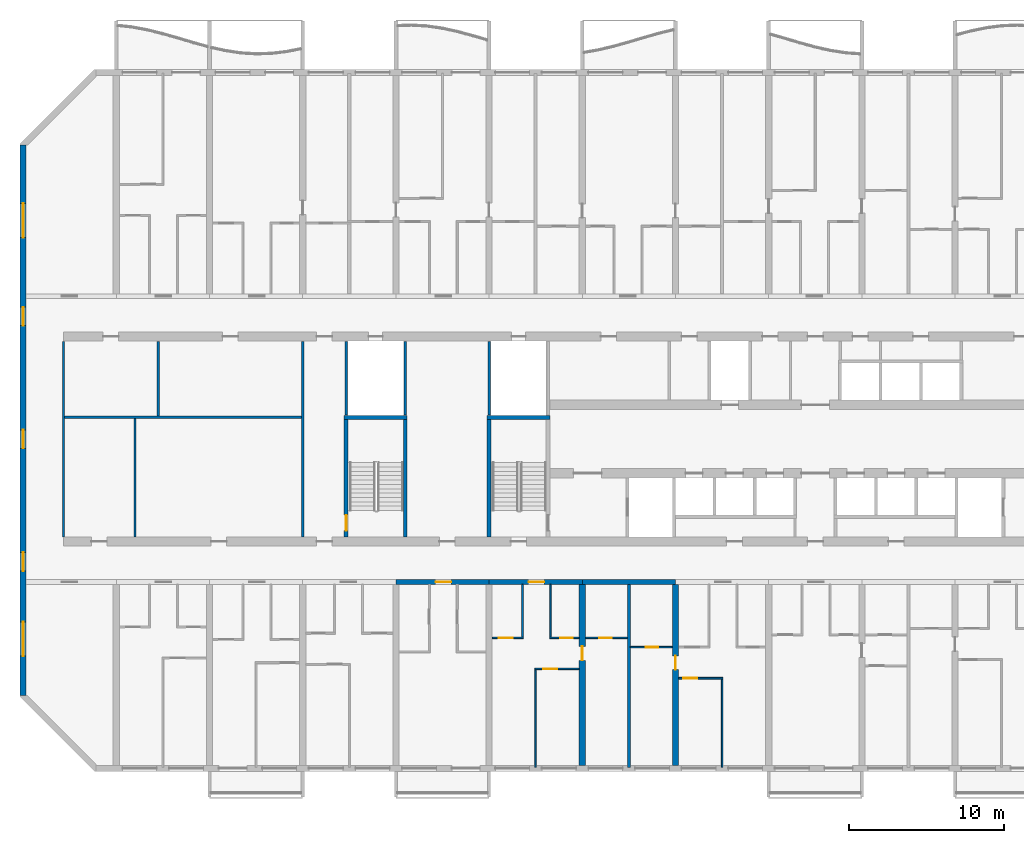
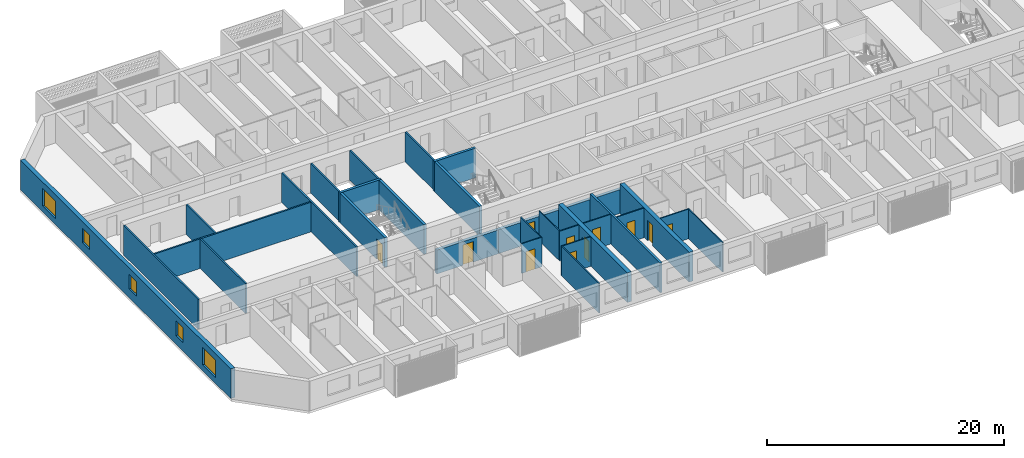
# One storey, part 3 of 40: 30 walls, 11 doors, 5 windows, 16 openings.
"""IFC4 building model written with IfcOpenShell, lengths in metres."""

from ifc_helpers import new_model, si_unit, direction, frame, frame_2d, origin, place, context, subcontext, project, spatial, rectangle, extrude, material, layer, layer_set, type_object, element, fill, save


model = new_model("IFC4")

# Units and contexts
model_context = context("Model", 3, precision=1e-05, world=origin(), true_north=direction((0.0, 1.0)))
body_context = subcontext(model_context, "Body", "Model", "MODEL_VIEW")
ifc_project = project(units=[si_unit("LENGTHUNIT", "METRE"), si_unit("AREAUNIT", "SQUARE_METRE"), si_unit("VOLUMEUNIT", "CUBIC_METRE"), si_unit("PLANEANGLEUNIT", "RADIAN"), si_unit("MASSUNIT", "GRAM", prefix="KILO")], contexts=[model_context])

# Site, building, storey
site_placement = place(None, origin())
site = spatial("IfcSite", under=ifc_project, at=site_placement, CompositionType="ELEMENT")
building_placement = place(site_placement, origin())
building = spatial("IfcBuilding", under=site, at=building_placement, Name="Poui Terraces", CompositionType="ELEMENT")
storey_placement = place(building_placement, frame((0.0, 0.0, 39.89990234375)))
storey = spatial("IfcBuildingStorey", under=building, at=storey_placement, Name="L10", CompositionType="ELEMENT", Elevation=39.89990234375)

# Walls
ifc_material_1 = material(Name="Fire-rated plasterboard wall")
ifc_layer_1 = layer(ifc_material_1, 0.14990234375)
ifc_layer_set_1 = layer_set([ifc_layer_1], Name="Fire-rated plasterboard wall")
wall_type_1 = type_object("IfcWallType", Name="CORRIDOR WALL 150", PredefinedType="PARTITIONING", material=ifc_layer_set_1)
for number, where, z_axis, x_axis, name in (
    (1, (2.60009765625, 14.909912109375, 0.0), (0.0, 0.0, 1.0), (0.0, 1.0, 0.0), "CORRIDOR WALL 150"),
    (2, (18.0, 14.909912109375, 0.0), (0.0, 0.0, 1.0), (0.0, 1.0, 0.0), "CORRIDOR WALL 150"),
):
    element("IfcWall", number, at=place(storey_placement, frame(where, z_axis=z_axis, x_axis=x_axis)), inside=storey, type_object=wall_type_1, Name=name, PredefinedType="PARTITIONING", context=body_context, shape_type="SweptSolid", body=[
        extrude(rectangle(XDim=12.580078125, YDim=0.14990234375, at=frame_2d((6.2900390625, 0.0))), origin(), (0.0, 0.0, 1.0), 3.050048828125),
    ])

# Wall, opening, door
ifc_material_2 = material(Name="Concrete 80 MPa", Category="concrete")
ifc_layer_2 = layer(ifc_material_2, 0.300048828125)
ifc_layer_set_2 = layer_set([ifc_layer_2], Name="Concrete 80 MPa")
wall_type_2 = type_object("IfcWallType", Name="CORRIDOR WALL 300 80MPa", PredefinedType="SHEAR", material=ifc_layer_set_2)
wall_1_placement = place(storey_placement, frame((24.0, 12.0, 0.0), z_axis=(0.0, 0.0, 1.0), x_axis=(1.0, 0.0, 0.0)))
wall_1 = element("IfcWall", 3, at=wall_1_placement, inside=storey, type_object=wall_type_2, Name="CORRIDOR WALL LINE B BAY 5", PredefinedType="SHEAR", context=body_context, shape_type="SweptSolid", body=[
    extrude(rectangle(XDim=6.0, YDim=0.300048828125, at=frame_2d((3.0, 0.0))), origin(), (0.0, 0.0, 1.0), 2.4501953125),
])
opening_1_placement = place(wall_1_placement, frame((2.550048828125, 0.0, 0.0)))
opening_1 = element("IfcOpeningElement", 4, at=opening_1_placement, cuts=wall_1, Name="Opening FD30S", PredefinedType="OPENING", context=body_context, shape_type="SweptSolid", body=[
    extrude(rectangle(XDim=1.0, YDim=2.10009765625, at=frame_2d((0.5, 1.050048828125))), frame((0.0, 0.16015625, 0.0), z_axis=(0.0, -1.0, 0.0), x_axis=(1.0, 0.0, 0.0)), (0.0, 0.0, 1.0), 0.320068359375),
])
ifc_material_3 = material(Name="Steel fire door", Category="steel")
door_type_1 = type_object("IfcDoorType", Name="FLAT ENTRANCE DOOR 1000 X 2100", OperationType="NOTDEFINED", PredefinedType="DOOR", material=ifc_material_3)
door_1_placement = place(opening_1_placement, frame((1.0, 0.0, 0.0), z_axis=(0.0, 0.0, 1.0), x_axis=(-1.0, 0.0, 0.0)))
door_1 = element("IfcDoor", 5, at=door_1_placement, inside=storey, type_object=door_type_1, Name="FLAT ENTRANCE DOOR 104", OperationType="SINGLE_SWING_LEFT", OverallHeight=2.10009765625, OverallWidth=1.0, PredefinedType="DOOR", context=body_context, shape_type="SweptSolid", body=[
    extrude(rectangle(XDim=1.0, YDim=2.10009765625, at=frame_2d((0.5, 1.050048828125))), frame((0.0, 0.02490234375, 0.0), z_axis=(0.0, -1.0, 0.0), x_axis=(1.0, 0.0, 0.0)), (0.0, 0.0, 1.0), 0.050048828125),
])
fill(opening_1, door_1)

wall_2_placement = place(storey_placement, frame((30.0, 12.0, 0.0), z_axis=(0.0, 0.0, 1.0), x_axis=(1.0, 0.0, 0.0)))
wall_2 = element("IfcWall", 6, at=wall_2_placement, inside=storey, type_object=wall_type_2, Name="CORRIDOR WALL LINE B BAY 6", PredefinedType="SHEAR", context=body_context, shape_type="SweptSolid", body=[
    extrude(rectangle(XDim=6.0, YDim=0.300048828125, at=frame_2d((3.0, 0.0))), origin(), (0.0, 0.0, 1.0), 2.4501953125),
])
opening_2_placement = place(wall_2_placement, frame((2.550048828125, 0.0, 0.0)))
opening_2 = element("IfcOpeningElement", 7, at=opening_2_placement, cuts=wall_2, Name="Opening FD30S", PredefinedType="OPENING", context=body_context, shape_type="SweptSolid", body=[
    extrude(rectangle(XDim=1.0, YDim=2.10009765625, at=frame_2d((0.5, 1.050048828125))), frame((0.0, 0.16015625, 0.0), z_axis=(0.0, -1.0, 0.0), x_axis=(1.0, 0.0, 0.0)), (0.0, 0.0, 1.0), 0.320068359375),
])
door_2_placement = place(opening_2_placement, frame((1.0, 0.0, 0.0), z_axis=(0.0, 0.0, 1.0), x_axis=(-1.0, 0.0, 0.0)))
door_2 = element("IfcDoor", 8, at=door_2_placement, inside=storey, type_object=door_type_1, Name="FLAT ENTRANCE DOOR 108", OperationType="SINGLE_SWING_LEFT", OverallHeight=2.10009765625, OverallWidth=1.0, PredefinedType="DOOR", context=body_context, shape_type="SweptSolid", body=[
    extrude(rectangle(XDim=1.0, YDim=2.10009765625, at=frame_2d((0.5, 1.050048828125))), frame((0.0, 0.02490234375, 0.0), z_axis=(0.0, -1.0, 0.0), x_axis=(1.0, 0.0, 0.0)), (0.0, 0.0, 1.0), 0.050048828125),
])
fill(opening_2, door_2)

# Wall
wall_3_placement = place(storey_placement, frame((36.0, 12.0, 0.0), z_axis=(0.0, 0.0, 1.0), x_axis=(1.0, 0.0, 0.0)))
element("IfcWall", 9, at=wall_3_placement, inside=storey, type_object=wall_type_2, Name="CORRIDOR WALL LINE B BAY 7", PredefinedType="SHEAR", context=body_context, shape_type="SweptSolid", body=[
    extrude(rectangle(XDim=6.0, YDim=0.300048828125, at=frame_2d((3.0, 0.0))), origin(), (0.0, 0.0, 1.0), 2.4501953125),
])

# Wall, opening, door
ifc_layer_3 = layer(ifc_material_2, 0.39990234375)
ifc_layer_set_3 = layer_set([ifc_layer_3], Name="Concrete 80 MPa")
wall_type_3 = type_object("IfcWallType", Name="CROSS WALL 400 80MPa", PredefinedType="SHEAR", material=ifc_layer_set_3)
wall_4_placement = place(storey_placement, frame((36.0, 0.199951171875, 0.0), z_axis=(0.0, 0.0, 1.0), x_axis=(0.0, 1.0, 0.0)))
wall_4 = element("IfcWall", 10, at=wall_4_placement, inside=storey, type_object=wall_type_3, Name="CROSS WALL LINE 7 SOUTH", PredefinedType="SHEAR", context=body_context, shape_type="SweptSolid", body=[
    extrude(rectangle(XDim=11.650146484375, YDim=0.39990234375, at=frame_2d((5.8251953125, 0.0))), origin(), (0.0, 0.0, 1.0), 3.050048828125),
])
opening_3_placement = place(wall_4_placement, frame((6.75, 0.0, 0.0)))
opening_3 = element("IfcOpeningElement", 11, at=opening_3_placement, cuts=wall_4, Name="Opening D90", PredefinedType="OPENING", context=body_context, shape_type="SweptSolid", body=[
    extrude(rectangle(XDim=0.89990234375, YDim=2.10009765625, at=frame_2d((0.449951171875, 1.050048828125))), frame((0.0, 0.2099609375, 0.0), z_axis=(0.0, -1.0, 0.0), x_axis=(1.0, 0.0, 0.0)), (0.0, 0.0, 1.0), 0.419921875),
])
ifc_material_4 = material(Name="Solid core timber door", Category="wood")
door_type_2 = type_object("IfcDoorType", Name="INTERNAL DOOR 900 X 2100", OperationType="NOTDEFINED", PredefinedType="DOOR", material=ifc_material_4)
door_3_placement = place(opening_3_placement, frame((0.89990234375, 0.0, 0.0), z_axis=(0.0, 0.0, 1.0), x_axis=(-1.0, 0.0, 0.0)))
door_3 = element("IfcDoor", 12, at=door_3_placement, inside=storey, type_object=door_type_2, Name="INTERNAL DOOR 111", OperationType="SINGLE_SWING_LEFT", OverallHeight=2.10009765625, OverallWidth=0.89990234375, PredefinedType="DOOR", context=body_context, shape_type="SweptSolid", body=[
    extrude(rectangle(XDim=0.89990234375, YDim=2.10009765625, at=frame_2d((0.449951171875, 1.050048828125))), frame((0.0, 0.02490234375, 0.0), z_axis=(0.0, -1.0, 0.0), x_axis=(1.0, 0.0, 0.0)), (0.0, 0.0, 1.0), 0.050048828125),
])
fill(opening_3, door_3)

wall_5_placement = place(storey_placement, frame((42.0, 0.199951171875, 0.0), z_axis=(0.0, 0.0, 1.0), x_axis=(0.0, 1.0, 0.0)))
wall_5 = element("IfcWall", 13, at=wall_5_placement, inside=storey, type_object=wall_type_3, Name="CROSS WALL LINE 8 SOUTH", PredefinedType="SHEAR", context=body_context, shape_type="SweptSolid", body=[
    extrude(rectangle(XDim=11.650146484375, YDim=0.39990234375, at=frame_2d((5.8251953125, 0.0))), origin(), (0.0, 0.0, 1.0), 3.050048828125),
])
opening_4_placement = place(wall_5_placement, frame((6.14990234375, 0.0, 0.0)))
opening_4 = element("IfcOpeningElement", 14, at=opening_4_placement, cuts=wall_5, Name="Opening D90", PredefinedType="OPENING", context=body_context, shape_type="SweptSolid", body=[
    extrude(rectangle(XDim=0.89990234375, YDim=2.10009765625, at=frame_2d((0.449951171875, 1.050048828125))), frame((0.0, 0.2099609375, 0.0), z_axis=(0.0, -1.0, 0.0), x_axis=(1.0, 0.0, 0.0)), (0.0, 0.0, 1.0), 0.419921875),
])
door_4_placement = place(opening_4_placement, origin())
door_4 = element("IfcDoor", 15, at=door_4_placement, inside=storey, type_object=door_type_2, Name="INTERNAL DOOR 113", OperationType="SINGLE_SWING_RIGHT", OverallHeight=2.10009765625, OverallWidth=0.89990234375, PredefinedType="DOOR", context=body_context, shape_type="SweptSolid", body=[
    extrude(rectangle(XDim=0.89990234375, YDim=2.10009765625, at=frame_2d((0.449951171875, 1.050048828125))), frame((0.0, 0.02490234375, 0.0), z_axis=(0.0, -1.0, 0.0), x_axis=(1.0, 0.0, 0.0)), (0.0, 0.0, 1.0), 0.050048828125),
])
fill(opening_4, door_4)

# Wall, openings, windows
ifc_layer_4 = layer(ifc_material_2, 0.39990234375)
ifc_layer_set_4 = layer_set([ifc_layer_4], Name="Concrete 80 MPa")
wall_type_4 = type_object("IfcWallType", Name="END WALL 400 80MPa", PredefinedType="SHEAR", material=ifc_layer_set_4)
wall_6_placement = place(storey_placement, frame((0.0, 4.682861328125, 0.0), z_axis=(0.0, 0.0, 1.0), x_axis=(0.0, 1.0, 0.0)))
wall_6 = element("IfcWall", 16, at=wall_6_placement, inside=storey, type_object=wall_type_4, Name="END WALL WEST", PredefinedType="SHEAR", context=body_context, shape_type="SweptSolid", body=[
    extrude(rectangle(XDim=35.434326171875, YDim=0.39990234375, at=frame_2d((17.71728515625, 0.0))), origin(), (0.0, 0.0, 1.0), 3.050048828125),
])
opening_5_placement = place(wall_6_placement, frame((23.817138671875, 0.0, 0.89990234375)))
opening_5 = element("IfcOpeningElement", 17, at=opening_5_placement, cuts=wall_6, Name="Opening W2", PredefinedType="OPENING", context=body_context, shape_type="SweptSolid", body=[
    extrude(rectangle(XDim=1.199951171875, YDim=1.5, at=frame_2d((0.60009765625, 0.75))), frame((0.0, 0.2099609375, 0.0), z_axis=(0.0, -1.0, 0.0), x_axis=(1.0, 0.0, 0.0)), (0.0, 0.0, 1.0), 0.419921875),
])
opening_6_placement = place(wall_6_placement, frame((8.01708984375, 0.0, 0.89990234375)))
opening_6 = element("IfcOpeningElement", 18, at=opening_6_placement, cuts=wall_6, Name="Opening W2", PredefinedType="OPENING", context=body_context, shape_type="SweptSolid", body=[
    extrude(rectangle(XDim=1.199951171875, YDim=1.5, at=frame_2d((0.60009765625, 0.75))), frame((0.0, 0.2099609375, 0.0), z_axis=(0.0, -1.0, 0.0), x_axis=(1.0, 0.0, 0.0)), (0.0, 0.0, 1.0), 0.419921875),
])
opening_7_placement = place(wall_6_placement, frame((15.917236328125, 0.0, 0.89990234375)))
opening_7 = element("IfcOpeningElement", 19, at=opening_7_placement, cuts=wall_6, Name="Opening W2", PredefinedType="OPENING", context=body_context, shape_type="SweptSolid", body=[
    extrude(rectangle(XDim=1.199951171875, YDim=1.5, at=frame_2d((0.60009765625, 0.75))), frame((0.0, 0.2099609375, 0.0), z_axis=(0.0, -1.0, 0.0), x_axis=(1.0, 0.0, 0.0)), (0.0, 0.0, 1.0), 0.419921875),
])
opening_8_placement = place(wall_6_placement, frame((29.493408203125, 0.0, 0.60009765625)))
opening_8 = element("IfcOpeningElement", 20, at=opening_8_placement, cuts=wall_6, Name="Opening W3", PredefinedType="OPENING", context=body_context, shape_type="SweptSolid", body=[
    extrude(rectangle(XDim=2.199951171875, YDim=1.800048828125, at=frame_2d((1.10009765625, 0.89990234375))), frame((0.0, 0.2099609375, 0.0), z_axis=(0.0, -1.0, 0.0), x_axis=(1.0, 0.0, 0.0)), (0.0, 0.0, 1.0), 0.419921875),
])
opening_9_placement = place(wall_6_placement, frame((2.541015625, 0.0, 0.60009765625)))
opening_9 = element("IfcOpeningElement", 21, at=opening_9_placement, cuts=wall_6, Name="Opening W3", PredefinedType="OPENING", context=body_context, shape_type="SweptSolid", body=[
    extrude(rectangle(XDim=2.199951171875, YDim=1.800048828125, at=frame_2d((1.10009765625, 0.89990234375))), frame((0.0, 0.2099609375, 0.0), z_axis=(0.0, -1.0, 0.0), x_axis=(1.0, 0.0, 0.0)), (0.0, 0.0, 1.0), 0.419921875),
])
ifc_material_5 = material(Name="Clear glass in aluminium frame", Category="aluminium")
window_type_1 = type_object("IfcWindowType", Name="WINDOW 1200X1500", PartitioningType="SINGLE_PANEL", PredefinedType="WINDOW", material=ifc_material_5)
window_1_placement = place(opening_5_placement, origin())
window_1 = element("IfcWindow", 22, at=window_1_placement, inside=storey, type_object=window_type_1, Name="W2 WINDOW", OverallHeight=1.5, OverallWidth=1.199951171875, PartitioningType="SINGLE_PANEL", PredefinedType="WINDOW", context=body_context, shape_type="SweptSolid", body=[
    extrude(rectangle(XDim=1.199951171875, YDim=1.5, at=frame_2d((0.60009765625, 0.75))), frame((0.0, 0.030029296875, 0.0), z_axis=(0.0, -1.0, 0.0), x_axis=(1.0, 0.0, 0.0)), (0.0, 0.0, 1.0), 0.06005859375),
])
fill(opening_5, window_1)
window_2_placement = place(opening_6_placement, origin())
window_2 = element("IfcWindow", 23, at=window_2_placement, inside=storey, type_object=window_type_1, Name="W2 WINDOW", OverallHeight=1.5, OverallWidth=1.199951171875, PartitioningType="SINGLE_PANEL", PredefinedType="WINDOW", context=body_context, shape_type="SweptSolid", body=[
    extrude(rectangle(XDim=1.199951171875, YDim=1.5, at=frame_2d((0.60009765625, 0.75))), frame((0.0, 0.030029296875, 0.0), z_axis=(0.0, -1.0, 0.0), x_axis=(1.0, 0.0, 0.0)), (0.0, 0.0, 1.0), 0.06005859375),
])
fill(opening_6, window_2)
window_3_placement = place(opening_7_placement, origin())
window_3 = element("IfcWindow", 24, at=window_3_placement, inside=storey, type_object=window_type_1, Name="W2 WINDOW", OverallHeight=1.5, OverallWidth=1.199951171875, PartitioningType="SINGLE_PANEL", PredefinedType="WINDOW", context=body_context, shape_type="SweptSolid", body=[
    extrude(rectangle(XDim=1.199951171875, YDim=1.5, at=frame_2d((0.60009765625, 0.75))), frame((0.0, 0.030029296875, 0.0), z_axis=(0.0, -1.0, 0.0), x_axis=(1.0, 0.0, 0.0)), (0.0, 0.0, 1.0), 0.06005859375),
])
fill(opening_7, window_3)
window_type_2 = type_object("IfcWindowType", Name="WINDOW 2200X1800", PartitioningType="DOUBLE_PANEL_HORIZONTAL", PredefinedType="WINDOW", material=ifc_material_5)
window_4_placement = place(opening_8_placement, origin())
window_4 = element("IfcWindow", 25, at=window_4_placement, inside=storey, type_object=window_type_2, Name="W3 WINDOW", OverallHeight=1.800048828125, OverallWidth=2.199951171875, PartitioningType="DOUBLE_PANEL_HORIZONTAL", PredefinedType="WINDOW", context=body_context, shape_type="SweptSolid", body=[
    extrude(rectangle(XDim=2.199951171875, YDim=1.800048828125, at=frame_2d((1.10009765625, 0.89990234375))), frame((0.0, 0.030029296875, 0.0), z_axis=(0.0, -1.0, 0.0), x_axis=(1.0, 0.0, 0.0)), (0.0, 0.0, 1.0), 0.06005859375),
])
fill(opening_8, window_4)
window_5_placement = place(opening_9_placement, origin())
window_5 = element("IfcWindow", 26, at=window_5_placement, inside=storey, type_object=window_type_2, Name="W3 WINDOW", OverallHeight=1.800048828125, OverallWidth=2.199951171875, PartitioningType="DOUBLE_PANEL_HORIZONTAL", PredefinedType="WINDOW", context=body_context, shape_type="SweptSolid", body=[
    extrude(rectangle(XDim=2.199951171875, YDim=1.800048828125, at=frame_2d((1.10009765625, 0.89990234375))), frame((0.0, 0.030029296875, 0.0), z_axis=(0.0, -1.0, 0.0), x_axis=(1.0, 0.0, 0.0)), (0.0, 0.0, 1.0), 0.06005859375),
])
fill(opening_9, window_5)

# Wall, opening, door
ifc_material_6 = material(Name="Plasterboard partition")
ifc_layer_5 = layer(ifc_material_6, 0.10009765625)
ifc_layer_set_5 = layer_set([ifc_layer_5], Name="Plasterboard partition")
wall_type_5 = type_object("IfcWallType", Name="FLAT PARTITION 100", PredefinedType="PARTITIONING", material=ifc_layer_set_5)
wall_7_placement = place(storey_placement, frame((42.2099609375, 5.800048828125, 0.0), z_axis=(0.0, 0.0, 1.0), x_axis=(1.0, 0.0, 0.0)))
wall_7 = element("IfcWall", 27, at=wall_7_placement, inside=storey, type_object=wall_type_5, Name="FLAT PARTITION 100", PredefinedType="PARTITIONING", context=body_context, shape_type="SweptSolid", body=[
    extrude(rectangle(XDim=2.840087890625, YDim=0.10009765625, at=frame_2d((1.419921875, 0.0))), origin(), (0.0, 0.0, 1.0), 3.050048828125),
])
opening_10_placement = place(wall_7_placement, frame((0.2900390625, 0.0, 0.0)))
opening_10 = element("IfcOpeningElement", 28, at=opening_10_placement, cuts=wall_7, Name="Opening D90", PredefinedType="OPENING", context=body_context, shape_type="SweptSolid", body=[
    extrude(rectangle(XDim=0.89990234375, YDim=2.10009765625, at=frame_2d((0.449951171875, 1.050048828125))), frame((0.0, 0.06005859375, 0.0), z_axis=(0.0, -1.0, 0.0), x_axis=(1.0, 0.0, 0.0)), (0.0, 0.0, 1.0), 0.1201171875),
])
door_5_placement = place(opening_10_placement, origin())
door_5 = element("IfcDoor", 29, at=door_5_placement, inside=storey, type_object=door_type_2, Name="INTERNAL DOOR 114", OperationType="SINGLE_SWING_RIGHT", OverallHeight=2.10009765625, OverallWidth=0.89990234375, PredefinedType="DOOR", context=body_context, shape_type="SweptSolid", body=[
    extrude(rectangle(XDim=0.89990234375, YDim=2.10009765625, at=frame_2d((0.449951171875, 1.050048828125))), frame((0.0, 0.02490234375, 0.0), z_axis=(0.0, -1.0, 0.0), x_axis=(1.0, 0.0, 0.0)), (0.0, 0.0, 1.0), 0.050048828125),
])
fill(opening_10, door_5)

wall_8_placement = place(storey_placement, frame((32.949951171875, 6.39990234375, 0.0), z_axis=(0.0, 0.0, 1.0), x_axis=(1.0, 0.0, 0.0)))
wall_8 = element("IfcWall", 30, at=wall_8_placement, inside=storey, type_object=wall_type_5, Name="FLAT PARTITION 100", PredefinedType="PARTITIONING", context=body_context, shape_type="SweptSolid", body=[
    extrude(rectangle(XDim=2.840087890625, YDim=0.10009765625, at=frame_2d((1.419921875, 0.0))), origin(), (0.0, 0.0, 1.0), 3.050048828125),
])
opening_11_placement = place(wall_8_placement, frame((0.550048828125, 0.0, 0.0)))
opening_11 = element("IfcOpeningElement", 31, at=opening_11_placement, cuts=wall_8, Name="Opening D90", PredefinedType="OPENING", context=body_context, shape_type="SweptSolid", body=[
    extrude(rectangle(XDim=0.89990234375, YDim=2.10009765625, at=frame_2d((0.449951171875, 1.050048828125))), frame((0.0, 0.06005859375, 0.0), z_axis=(0.0, -1.0, 0.0), x_axis=(1.0, 0.0, 0.0)), (0.0, 0.0, 1.0), 0.1201171875),
])
door_6_placement = place(opening_11_placement, origin())
door_6 = element("IfcDoor", 32, at=door_6_placement, inside=storey, type_object=door_type_2, Name="INTERNAL DOOR 109", OperationType="SINGLE_SWING_RIGHT", OverallHeight=2.10009765625, OverallWidth=0.89990234375, PredefinedType="DOOR", context=body_context, shape_type="SweptSolid", body=[
    extrude(rectangle(XDim=0.89990234375, YDim=2.10009765625, at=frame_2d((0.449951171875, 1.050048828125))), frame((0.0, 0.02490234375, 0.0), z_axis=(0.0, -1.0, 0.0), x_axis=(1.0, 0.0, 0.0)), (0.0, 0.0, 1.0), 0.050048828125),
])
fill(opening_11, door_6)

wall_9_placement = place(storey_placement, frame((39.10009765625, 7.800048828125, 0.0), z_axis=(0.0, 0.0, 1.0), x_axis=(1.0, 0.0, 0.0)))
wall_9 = element("IfcWall", 33, at=wall_9_placement, inside=storey, type_object=wall_type_5, Name="FLAT PARTITION 100", PredefinedType="PARTITIONING", context=body_context, shape_type="SweptSolid", body=[
    extrude(rectangle(XDim=2.68994140625, YDim=0.10009765625, at=frame_2d((1.344970703125, 0.0))), origin(), (0.0, 0.0, 1.0), 3.050048828125),
])
opening_12_placement = place(wall_9_placement, frame((1.0, 0.0, 0.0)))
opening_12 = element("IfcOpeningElement", 34, at=opening_12_placement, cuts=wall_9, Name="Opening D80", PredefinedType="OPENING", context=body_context, shape_type="SweptSolid", body=[
    extrude(rectangle(XDim=0.800048828125, YDim=2.10009765625, at=frame_2d((0.39990234375, 1.050048828125))), frame((0.0, 0.06005859375, 0.0), z_axis=(0.0, -1.0, 0.0), x_axis=(1.0, 0.0, 0.0)), (0.0, 0.0, 1.0), 0.1201171875),
])
door_type_3 = type_object("IfcDoorType", Name="BATHROOM, LAUNDRY AND STORE DOOR 800 X 2100", OperationType="NOTDEFINED", PredefinedType="DOOR", material=ifc_material_4)
door_7_placement = place(opening_12_placement, origin())
door_7 = element("IfcDoor", 35, at=door_7_placement, inside=storey, type_object=door_type_3, Name="BATHROOM, LAUNDRY AND STORE DOOR 112", OperationType="SINGLE_SWING_LEFT", OverallHeight=2.10009765625, OverallWidth=0.800048828125, PredefinedType="DOOR", context=body_context, shape_type="SweptSolid", body=[
    extrude(rectangle(XDim=0.800048828125, YDim=2.10009765625, at=frame_2d((0.39990234375, 1.050048828125))), frame((0.0, 0.02490234375, 0.0), z_axis=(0.0, -1.0, 0.0), x_axis=(1.0, 0.0, 0.0)), (0.0, 0.0, 1.0), 0.050048828125),
])
fill(opening_12, door_7)

wall_10_placement = place(storey_placement, frame((30.2099609375, 8.39990234375, 0.0), z_axis=(0.0, 0.0, 1.0), x_axis=(1.0, 0.0, 0.0)))
wall_10 = element("IfcWall", 36, at=wall_10_placement, inside=storey, type_object=wall_type_5, Name="FLAT PARTITION 100", PredefinedType="PARTITIONING", context=body_context, shape_type="SweptSolid", body=[
    extrude(rectangle(XDim=1.989990234375, YDim=0.10009765625, at=frame_2d((0.9951171875, 0.0))), origin(), (0.0, 0.0, 1.0), 3.050048828125),
])
opening_13_placement = place(wall_10_placement, frame((0.4150390625, 0.0, 0.0)))
opening_13 = element("IfcOpeningElement", 37, at=opening_13_placement, cuts=wall_10, Name="Opening D90", PredefinedType="OPENING", context=body_context, shape_type="SweptSolid", body=[
    extrude(rectangle(XDim=0.89990234375, YDim=2.10009765625, at=frame_2d((0.449951171875, 1.050048828125))), frame((0.0, 0.06005859375, 0.0), z_axis=(0.0, -1.0, 0.0), x_axis=(1.0, 0.0, 0.0)), (0.0, 0.0, 1.0), 0.1201171875),
])
door_8_placement = place(opening_13_placement, origin())
door_8 = element("IfcDoor", 38, at=door_8_placement, inside=storey, type_object=door_type_2, Name="INTERNAL DOOR 107", OperationType="SINGLE_SWING_RIGHT", OverallHeight=2.10009765625, OverallWidth=0.89990234375, PredefinedType="DOOR", context=body_context, shape_type="SweptSolid", body=[
    extrude(rectangle(XDim=0.89990234375, YDim=2.10009765625, at=frame_2d((0.449951171875, 1.050048828125))), frame((0.0, 0.02490234375, 0.0), z_axis=(0.0, -1.0, 0.0), x_axis=(1.0, 0.0, 0.0)), (0.0, 0.0, 1.0), 0.050048828125),
])
fill(opening_13, door_8)

wall_11_placement = place(storey_placement, frame((33.89990234375, 8.39990234375, 0.0), z_axis=(0.0, 0.0, 1.0), x_axis=(1.0, 0.0, 0.0)))
wall_11 = element("IfcWall", 39, at=wall_11_placement, inside=storey, type_object=wall_type_5, Name="FLAT PARTITION 100", PredefinedType="PARTITIONING", context=body_context, shape_type="SweptSolid", body=[
    extrude(rectangle(XDim=1.89013671875, YDim=0.10009765625, at=frame_2d((0.945068359375, 0.0))), origin(), (0.0, 0.0, 1.0), 3.050048828125),
])
opening_14_placement = place(wall_11_placement, frame((0.675048828125, 0.0, 0.0)))
opening_14 = element("IfcOpeningElement", 40, at=opening_14_placement, cuts=wall_11, Name="Opening D80", PredefinedType="OPENING", context=body_context, shape_type="SweptSolid", body=[
    extrude(rectangle(XDim=0.800048828125, YDim=2.10009765625, at=frame_2d((0.39990234375, 1.050048828125))), frame((0.0, 0.06005859375, 0.0), z_axis=(0.0, -1.0, 0.0), x_axis=(1.0, 0.0, 0.0)), (0.0, 0.0, 1.0), 0.1201171875),
])
door_9_placement = place(opening_14_placement, origin())
door_9 = element("IfcDoor", 41, at=door_9_placement, inside=storey, type_object=door_type_3, Name="BATHROOM, LAUNDRY AND STORE DOOR 110", OperationType="SINGLE_SWING_LEFT", OverallHeight=2.10009765625, OverallWidth=0.800048828125, PredefinedType="DOOR", context=body_context, shape_type="SweptSolid", body=[
    extrude(rectangle(XDim=0.800048828125, YDim=2.10009765625, at=frame_2d((0.39990234375, 1.050048828125))), frame((0.0, 0.02490234375, 0.0), z_axis=(0.0, -1.0, 0.0), x_axis=(1.0, 0.0, 0.0)), (0.0, 0.0, 1.0), 0.050048828125),
])
fill(opening_14, door_9)

wall_12_placement = place(storey_placement, frame((36.2099609375, 8.39990234375, 0.0), z_axis=(0.0, 0.0, 1.0), x_axis=(1.0, 0.0, 0.0)))
wall_12 = element("IfcWall", 42, at=wall_12_placement, inside=storey, type_object=wall_type_5, Name="FLAT PARTITION 100", PredefinedType="PARTITIONING", context=body_context, shape_type="SweptSolid", body=[
    extrude(rectangle(XDim=2.68994140625, YDim=0.10009765625, at=frame_2d((1.344970703125, 0.0))), origin(), (0.0, 0.0, 1.0), 3.050048828125),
])
opening_15_placement = place(wall_12_placement, frame((0.889892578125, 0.0, 0.0)))
opening_15 = element("IfcOpeningElement", 43, at=opening_15_placement, cuts=wall_12, Name="Opening D80", PredefinedType="OPENING", context=body_context, shape_type="SweptSolid", body=[
    extrude(rectangle(XDim=0.800048828125, YDim=2.10009765625, at=frame_2d((0.39990234375, 1.050048828125))), frame((0.0, 0.06005859375, 0.0), z_axis=(0.0, -1.0, 0.0), x_axis=(1.0, 0.0, 0.0)), (0.0, 0.0, 1.0), 0.1201171875),
])
door_10_placement = place(opening_15_placement, origin())
door_10 = element("IfcDoor", 44, at=door_10_placement, inside=storey, type_object=door_type_3, Name="BATHROOM, LAUNDRY AND STORE DOOR 106", OperationType="SINGLE_SWING_RIGHT", OverallHeight=2.10009765625, OverallWidth=0.800048828125, PredefinedType="DOOR", context=body_context, shape_type="SweptSolid", body=[
    extrude(rectangle(XDim=0.800048828125, YDim=2.10009765625, at=frame_2d((0.39990234375, 1.050048828125))), frame((0.0, 0.02490234375, 0.0), z_axis=(0.0, -1.0, 0.0), x_axis=(1.0, 0.0, 0.0)), (0.0, 0.0, 1.0), 0.050048828125),
])
fill(opening_15, door_10)

# Walls
wall_13_placement = place(storey_placement, frame((32.14990234375, 8.449951171875, 0.0), z_axis=(0.0, 0.0, 1.0), x_axis=(0.0, 1.0, 0.0)))
element("IfcWall", 45, at=wall_13_placement, inside=storey, type_object=wall_type_5, Name="FLAT PARTITION 100", PredefinedType="PARTITIONING", context=body_context, shape_type="SweptSolid", body=[
    extrude(rectangle(XDim=3.39013671875, YDim=0.10009765625, at=frame_2d((1.695068359375, 0.0))), origin(), (0.0, 0.0, 1.0), 3.050048828125),
])
wall_14_placement = place(storey_placement, frame((33.0, 0.06005859375, 0.0), z_axis=(0.0, 0.0, 1.0), x_axis=(0.0, 1.0, 0.0)))
element("IfcWall", 46, at=wall_14_placement, inside=storey, type_object=wall_type_5, Name="FLAT PARTITION 100", PredefinedType="PARTITIONING", context=body_context, shape_type="SweptSolid", body=[
    extrude(rectangle(XDim=6.2900390625, YDim=0.10009765625, at=frame_2d((3.14501953125, 0.0))), origin(), (0.0, 0.0, 1.0), 3.050048828125),
])
wall_15_placement = place(storey_placement, frame((33.949951171875, 8.449951171875, 0.0), z_axis=(0.0, 0.0, 1.0), x_axis=(0.0, 1.0, 0.0)))
element("IfcWall", 47, at=wall_15_placement, inside=storey, type_object=wall_type_5, Name="FLAT PARTITION 100", PredefinedType="PARTITIONING", context=body_context, shape_type="SweptSolid", body=[
    extrude(rectangle(XDim=3.39013671875, YDim=0.10009765625, at=frame_2d((1.695068359375, 0.0))), origin(), (0.0, 0.0, 1.0), 3.050048828125),
])
wall_16_placement = place(storey_placement, frame((45.0, 0.06005859375, 0.0), z_axis=(0.0, 0.0, 1.0), x_axis=(0.0, 1.0, 0.0)))
element("IfcWall", 48, at=wall_16_placement, inside=storey, type_object=wall_type_5, Name="FLAT PARTITION 100", PredefinedType="PARTITIONING", context=body_context, shape_type="SweptSolid", body=[
    extrude(rectangle(XDim=5.68994140625, YDim=0.10009765625, at=frame_2d((2.844970703125, 0.0))), origin(), (0.0, 0.0, 1.0), 3.050048828125),
])
ifc_material_7 = material(Name="Fire-rated masonry wall", Category="masonry")
ifc_layer_6 = layer(ifc_material_7, 0.199951171875)
ifc_layer_set_6 = layer_set([ifc_layer_6], Name="Fire-rated masonry wall")
wall_type_6 = type_object("IfcWallType", Name="FLAT PARTY WALL 200", PredefinedType="PARTITIONING", material=ifc_layer_set_6)
wall_17_placement = place(storey_placement, frame((39.0, 0.06005859375, 0.0), z_axis=(0.0, 0.0, 1.0), x_axis=(0.0, 1.0, 0.0)))
element("IfcWall", 49, at=wall_17_placement, inside=storey, type_object=wall_type_6, Name="FLAT PARTY WALL 200", PredefinedType="PARTITIONING", context=body_context, shape_type="SweptSolid", body=[
    extrude(rectangle(XDim=11.780029296875, YDim=0.199951171875, at=frame_2d((5.89013671875, 0.0))), origin(), (0.0, 0.0, 1.0), 3.050048828125),
])
ifc_layer_7 = layer(ifc_material_6, 0.14990234375)
ifc_layer_set_7 = layer_set([ifc_layer_7], Name="Plasterboard partition")
wall_type_7 = type_object("IfcWallType", Name="PARTITION WALL 150", PredefinedType="PARTITIONING", material=ifc_layer_set_7)
wall_18_placement = place(storey_placement, frame((2.675048828125, 22.60009765625, 0.0), z_axis=(0.0, 0.0, 1.0), x_axis=(1.0, 0.0, 0.0)))
element("IfcWall", 50, at=wall_18_placement, inside=storey, type_object=wall_type_7, Name="PARTITION WALL 150", PredefinedType="PARTITIONING", context=body_context, shape_type="SweptSolid", body=[
    extrude(rectangle(XDim=15.25, YDim=0.14990234375, at=frame_2d((7.625, 0.0))), origin(), (0.0, 0.0, 1.0), 3.050048828125),
])
wall_19_placement = place(storey_placement, frame((7.199951171875, 14.909912109375, 0.0), z_axis=(0.0, 0.0, 1.0), x_axis=(0.0, 1.0, 0.0)))
element("IfcWall", 51, at=wall_19_placement, inside=storey, type_object=wall_type_7, Name="PARTITION WALL 150", PredefinedType="PARTITIONING", context=body_context, shape_type="SweptSolid", body=[
    extrude(rectangle(XDim=7.614990234375, YDim=0.14990234375, at=frame_2d((3.8076171875, 0.0))), origin(), (0.0, 0.0, 1.0), 3.050048828125),
])
wall_20_placement = place(storey_placement, frame((8.699951171875, 22.675048828125, 0.0), z_axis=(0.0, 0.0, 1.0), x_axis=(0.0, 1.0, 0.0)))
element("IfcWall", 52, at=wall_20_placement, inside=storey, type_object=wall_type_7, Name="PARTITION WALL 150", PredefinedType="PARTITIONING", context=body_context, shape_type="SweptSolid", body=[
    extrude(rectangle(XDim=4.81494140625, YDim=0.14990234375, at=frame_2d((2.407470703125, 0.0))), origin(), (0.0, 0.0, 1.0), 3.050048828125),
])
ifc_material_8 = material(Name="Fire-rated plasterboard riser wall")
ifc_layer_8 = layer(ifc_material_8, 0.14990234375)
ifc_layer_set_8 = layer_set([ifc_layer_8], Name="Fire-rated plasterboard riser wall")
wall_type_8 = type_object("IfcWallType", Name="RISER WALL 150", PredefinedType="PARTITIONING", material=ifc_layer_set_8)
for number, where, z_axis, x_axis, name in (
    (53, (20.800048828125, 22.735107421875, 0.0), (0.0, 0.0, 1.0), (0.0, 1.0, 0.0), "RISER WALL 150"),
    (54, (24.60009765625, 22.735107421875, 0.0), (0.0, 0.0, 1.0), (0.0, 1.0, 0.0), "RISER WALL 150"),
    (55, (30.0, 22.735107421875, 0.0), (0.0, 0.0, 1.0), (0.0, 1.0, 0.0), "RISER WALL 150"),
):
    element("IfcWall", number, at=place(storey_placement, frame(where, z_axis=z_axis, x_axis=x_axis)), inside=storey, type_object=wall_type_8, Name=name, PredefinedType="PARTITIONING", context=body_context, shape_type="SweptSolid", body=[
        extrude(rectangle(XDim=4.7548828125, YDim=0.14990234375, at=frame_2d((2.37744140625, 0.0))), origin(), (0.0, 0.0, 1.0), 3.050048828125),
    ])
ifc_layer_9 = layer(ifc_material_2, 0.25)
ifc_layer_set_9 = layer_set([ifc_layer_9], Name="Concrete 80 MPa")
wall_type_9 = type_object("IfcWallType", Name="STAIR CORE WALL 250 80 MPA", PredefinedType="SOLIDWALL", material=ifc_layer_set_9)
wall_21_placement = place(storey_placement, frame((30.0, 14.89990234375, 0.0), z_axis=(0.0, 0.0, 1.0), x_axis=(0.0, 1.0, 0.0)))
element("IfcWall", 56, at=wall_21_placement, inside=storey, type_object=wall_type_9, Name="STAIR CORE WALL", PredefinedType="SOLIDWALL", context=body_context, shape_type="SweptSolid", body=[
    extrude(rectangle(XDim=7.5751953125, YDim=0.25, at=frame_2d((3.78759765625, 0.0))), origin(), (0.0, 0.0, 1.0), 3.050048828125),
])
wall_22_placement = place(storey_placement, frame((29.875, 22.60009765625, 0.0), z_axis=(0.0, 0.0, 1.0), x_axis=(1.0, 0.0, 0.0)))
element("IfcWall", 57, at=wall_22_placement, inside=storey, type_object=wall_type_9, Name="STAIR CORE WALL", PredefinedType="SOLIDWALL", context=body_context, shape_type="SweptSolid", body=[
    extrude(rectangle(XDim=4.050048828125, YDim=0.25, at=frame_2d((2.02490234375, 0.0))), origin(), (0.0, 0.0, 1.0), 3.050048828125),
])

# Wall, opening, door
wall_23_placement = place(storey_placement, frame((20.800048828125, 14.89990234375, 0.0), z_axis=(0.0, 0.0, 1.0), x_axis=(0.0, 1.0, 0.0)))
wall_23 = element("IfcWall", 58, at=wall_23_placement, inside=storey, type_object=wall_type_9, Name="STAIR CORE WALL", PredefinedType="SOLIDWALL", context=body_context, shape_type="SweptSolid", body=[
    extrude(rectangle(XDim=7.5751953125, YDim=0.25, at=frame_2d((3.78759765625, 0.0))), origin(), (0.0, 0.0, 1.0), 3.050048828125),
])
opening_16_placement = place(wall_23_placement, frame((0.39990234375, 0.0, 0.0)))
opening_16 = element("IfcOpeningElement", 59, at=opening_16_placement, cuts=wall_23, Name="Opening FD60S", PredefinedType="OPENING", context=body_context, shape_type="SweptSolid", body=[
    extrude(rectangle(XDim=1.0, YDim=2.10009765625, at=frame_2d((0.5, 1.050048828125))), frame((0.0, 0.135009765625, 0.0), z_axis=(0.0, -1.0, 0.0), x_axis=(1.0, 0.0, 0.0)), (0.0, 0.0, 1.0), 0.27001953125),
])
door_type_4 = type_object("IfcDoorType", Name="STAIR DOOR 1000 X 2100", OperationType="NOTDEFINED", PredefinedType="DOOR", material=ifc_material_3)
door_11_placement = place(opening_16_placement, frame((1.0, 0.0, 0.0), z_axis=(0.0, 0.0, 1.0), x_axis=(-1.0, 0.0, 0.0)))
door_11 = element("IfcDoor", 60, at=door_11_placement, inside=storey, type_object=door_type_4, Name="STAIR DOOR 165", OperationType="SINGLE_SWING_RIGHT", OverallHeight=2.10009765625, OverallWidth=1.0, PredefinedType="DOOR", context=body_context, shape_type="SweptSolid", body=[
    extrude(rectangle(XDim=1.0, YDim=2.10009765625, at=frame_2d((0.5, 1.050048828125))), frame((0.0, 0.02490234375, 0.0), z_axis=(0.0, -1.0, 0.0), x_axis=(1.0, 0.0, 0.0)), (0.0, 0.0, 1.0), 0.050048828125),
])
fill(opening_16, door_11)

# Walls
wall_24_placement = place(storey_placement, frame((24.60009765625, 14.89990234375, 0.0), z_axis=(0.0, 0.0, 1.0), x_axis=(0.0, 1.0, 0.0)))
element("IfcWall", 61, at=wall_24_placement, inside=storey, type_object=wall_type_9, Name="STAIR CORE WALL", PredefinedType="SOLIDWALL", context=body_context, shape_type="SweptSolid", body=[
    extrude(rectangle(XDim=7.5751953125, YDim=0.25, at=frame_2d((3.78759765625, 0.0))), origin(), (0.0, 0.0, 1.0), 3.050048828125),
])
wall_25_placement = place(storey_placement, frame((20.675048828125, 22.60009765625, 0.0), z_axis=(0.0, 0.0, 1.0), x_axis=(1.0, 0.0, 0.0)))
element("IfcWall", 62, at=wall_25_placement, inside=storey, type_object=wall_type_9, Name="STAIR CORE WALL", PredefinedType="SOLIDWALL", context=body_context, shape_type="SweptSolid", body=[
    extrude(rectangle(XDim=4.050048828125, YDim=0.25, at=frame_2d((2.02490234375, 0.0))), origin(), (0.0, 0.0, 1.0), 3.050048828125),
])

save(model, "model.ifc")
